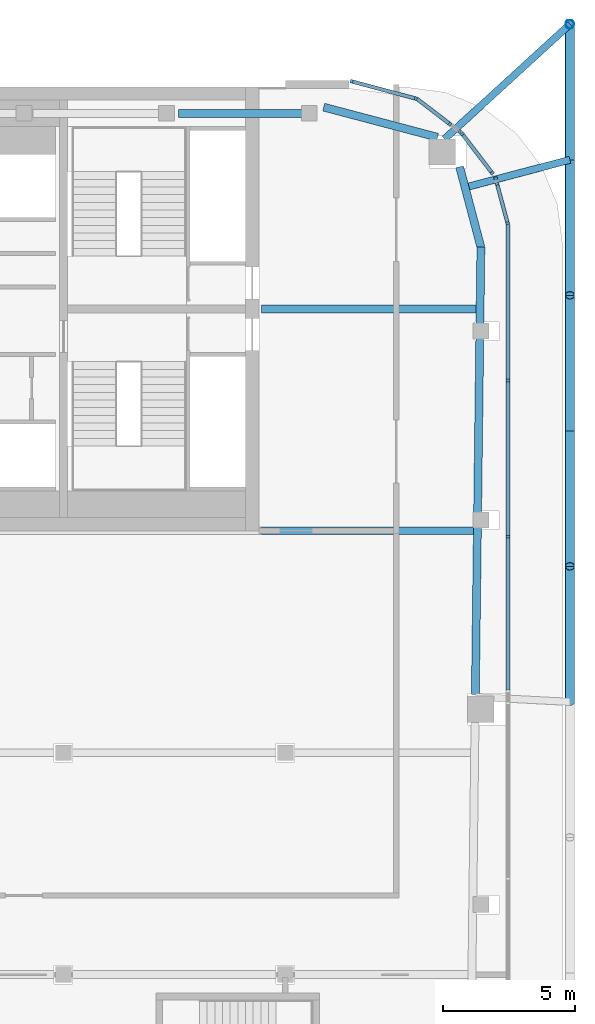
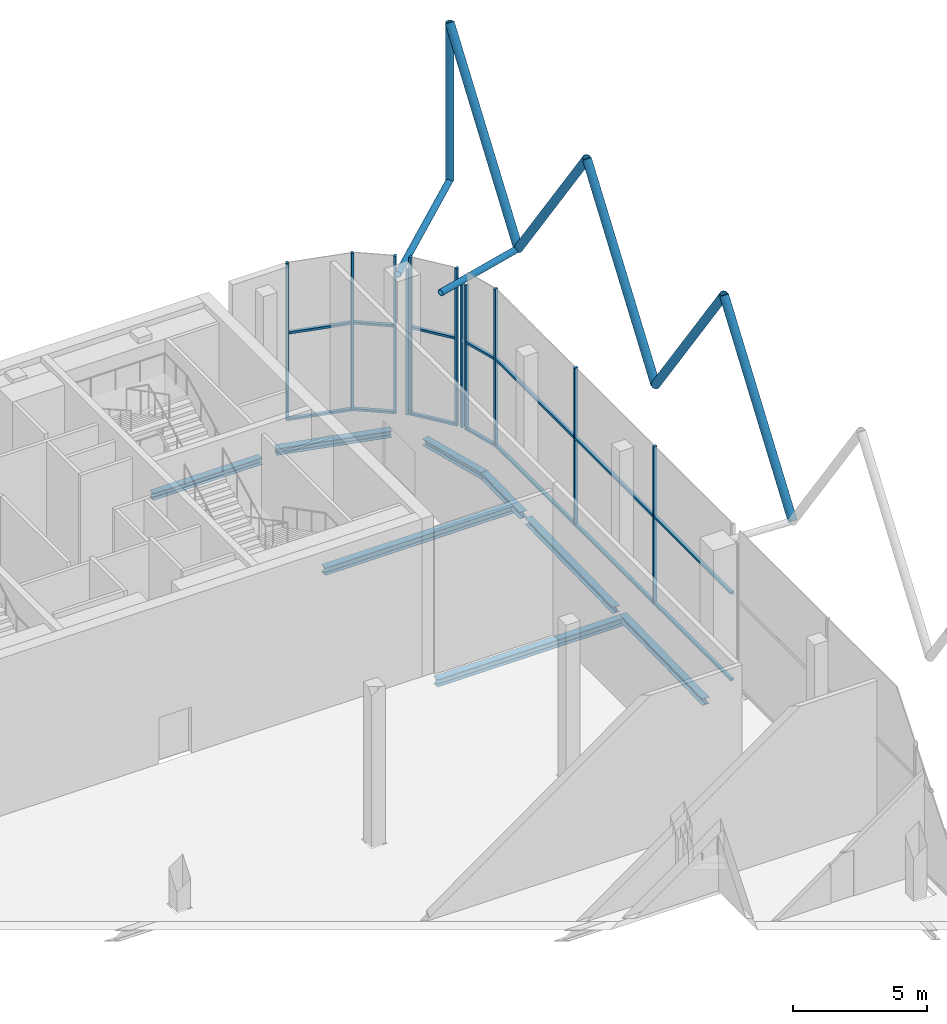
# One storey, part 8 of 25: 33 members, 8 beams, 7 elements without a shape of their own.
"""IFC4 building model written with IfcOpenShell, lengths in metres."""

from ifc_helpers import new_model, si_unit, direction, frame, origin, origin_2d, place, context, subcontext, project, spatial, rectangle, hollow_circle, i_section, extrude, material, layer, layer_set, material_profile, profile_set, type_object, element, aggregate, save


model = new_model("IFC4")

# Units and contexts
model_context = context("Model", 3, precision=1e-05, world=origin(), true_north=direction((0.0, 1.0)))
body_context = subcontext(model_context, "Body", "Model", "MODEL_VIEW")
ifc_project = project(units=[si_unit("LENGTHUNIT", "METRE"), si_unit("AREAUNIT", "SQUARE_METRE"), si_unit("VOLUMEUNIT", "CUBIC_METRE"), si_unit("PLANEANGLEUNIT", "RADIAN"), si_unit("MASSUNIT", "GRAM", prefix="KILO")], contexts=[model_context])

# Site, building, storey
site_placement = place(None, origin())
site = spatial("IfcSite", under=ifc_project, at=site_placement, CompositionType="ELEMENT")
building_placement = place(site_placement, origin())
building = spatial("IfcBuilding", under=site, at=building_placement, Name="Marenta Gate Hotel Tower", CompositionType="ELEMENT")
storey_placement = place(building_placement, frame((0.0, 0.0, 281.300048828125)))
storey = spatial("IfcBuildingStorey", under=building, at=storey_placement, Name="L65", CompositionType="ELEMENT", Elevation=281.300048828125)

# Members
ifc_material_1 = material(Name="Steel S355J2W", Category="steel")
ifc_material_profile_1 = material_profile(ifc_material_1, hollow_circle(Radius=0.161865234375, WallThickness=0.012451171875, at=origin_2d()), Name="CHS 323.9x12.5")
ifc_profile_set_1 = profile_set([ifc_material_profile_1], Name="Steel S355J2W")
member_type_1 = type_object("IfcMemberType", Name="Diagrid corner post C CHS 323.9x12.5", PredefinedType="POST", material=ifc_profile_set_1)
member_1_placement = place(storey_placement, frame((23.3701171875, 19.169921875, 6.739990234375), z_axis=(0.0, 0.0, 1.0), x_axis=(1.0, 0.0, 0.0)))
element("IfcMember", 1, at=member_1_placement, inside=storey, type_object=member_type_1, Name="L65-DR-1", PredefinedType="POST", context=body_context, shape_type="SweptSolid", body=[
    extrude(hollow_circle(Radius=0.161865234375, WallThickness=0.012451171875, at=origin_2d()), origin(), (0.0, 0.0, 1.0), 7.199951171875),
])
ifc_material_2 = material(Name="Steel S355J2W", Category="steel")
ifc_material_profile_2 = material_profile(ifc_material_2, hollow_circle(Radius=0.177734375, WallThickness=0.01611328125, at=origin_2d()), Name="CHS 355.6x16")
ifc_profile_set_2 = profile_set([ifc_material_profile_2], Name="Steel S355J2W")
member_type_2 = type_object("IfcMemberType", Name="Diagrid diagonal C CHS 355.6x16", PredefinedType="BRACE", material=ifc_profile_set_2)
member_2_placement = place(storey_placement, frame((23.3701171875, 14.040771484375, 6.739990234375), z_axis=(0.0, 0.580213650922, 0.81446431431), x_axis=(-1.0, 0.0, 0.0)))
element("IfcMember", 2, at=member_2_placement, inside=storey, type_object=member_type_2, Name="L65-DG-1", PredefinedType="BRACE", context=body_context, shape_type="SweptSolid", body=[
    extrude(hollow_circle(Radius=0.177734375, WallThickness=0.01611328125, at=origin_2d()), origin(), (0.0, 0.0, 1.0), 8.840087890625),
])
for number, where, z_axis, x_axis, name in (
    (3, (23.3701171875, 14.040771484375, 6.739990234375), (0.0, -0.580231970533, 0.81445126335), (1.0, 0.0, 0.0), "L65-DG-2"),
    (4, (23.3701171875, 3.781982421875, 6.739990234375), (0.0, 0.580231970533, 0.81445126335), (-1.0, 0.0, 0.0), "L65-DG-3"),
    (5, (23.3701171875, 3.781982421875, 6.739990234375), (0.0, -0.580231970533, 0.81445126335), (1.0, 0.0, 0.0), "L65-DG-4"),
):
    element("IfcMember", number, at=place(storey_placement, frame(where, z_axis=z_axis, x_axis=x_axis)), inside=storey, type_object=member_type_2, Name=name, PredefinedType="BRACE", context=body_context, shape_type="SweptSolid", body=[
        extrude(hollow_circle(Radius=0.177734375, WallThickness=0.01611328125, at=origin_2d()), origin(), (0.0, 0.0, 1.0), 8.84033203125),
    ])
member_3_placement = place(storey_placement, frame((23.3701171875, -6.4765625, 6.739990234375), z_axis=(0.0, 0.580213650922, 0.81446431431), x_axis=(-1.0, 0.0, 0.0)))
element("IfcMember", 6, at=member_3_placement, inside=storey, type_object=member_type_2, Name="L65-DG-5", PredefinedType="BRACE", context=body_context, shape_type="SweptSolid", body=[
    extrude(hollow_circle(Radius=0.177734375, WallThickness=0.01611328125, at=origin_2d()), origin(), (0.0, 0.0, 1.0), 8.840087890625),
])

# Beams
ifc_material_3 = material(Name="Steel S355", Category="steel")
ifc_material_profile_3 = material_profile(ifc_material_3, i_section(OverallWidth=0.300048828125, OverallDepth=0.300048828125, WebThickness=0.010986328125, FlangeThickness=0.01904296875, FilletRadius=0.027099609375, at=origin_2d()), Name="HEB 300")
ifc_profile_set_3 = profile_set([ifc_material_profile_3], Name="Steel S355")
beam_type_1 = type_object("IfcBeamType", Name="Edge beam HEB 300", PredefinedType="SPANDREL", material=ifc_profile_set_3)
beam_1_placement = place(storey_placement, frame((8.55419921875, 15.800048828125, -0.41015625), z_axis=(1.0, 0.0, 0.0), x_axis=(0.0, 1.0, 0.0)))
element("IfcBeam", 7, at=beam_1_placement, inside=storey, type_object=beam_type_1, Name="L65-EB-17", PredefinedType="SPANDREL", context=body_context, shape_type="SweptSolid", body=[
    extrude(i_section(OverallWidth=0.300048828125, OverallDepth=0.300048828125, WebThickness=0.010986328125, FlangeThickness=0.01904296875, FilletRadius=0.027099609375, at=origin_2d()), origin(), (0.0, 0.0, 1.0), 4.692626953125),
])
beam_2_placement = place(storey_placement, frame((14.051513671875, 16.033447265625, -0.41015625), z_axis=(0.966775757737, -0.25562596553, 0.0), x_axis=(0.25562596553, 0.966775757737, 0.0)))
element("IfcBeam", 8, at=beam_2_placement, inside=storey, type_object=beam_type_1, Name="L65-EB-18", PredefinedType="SPANDREL", context=body_context, shape_type="SweptSolid", body=[
    extrude(i_section(OverallWidth=0.300048828125, OverallDepth=0.300048828125, WebThickness=0.010986328125, FlangeThickness=0.01904296875, FilletRadius=0.027099609375, at=origin_2d()), origin(), (0.0, 0.0, 1.0), 4.455322265625),
])
beam_3_placement = place(storey_placement, frame((19.1962890625, 13.774169921875, -0.41015625), z_axis=(0.25561297124, -0.966779193474, 0.0), x_axis=(0.966779193474, 0.25561297124, 0.0)))
element("IfcBeam", 9, at=beam_3_placement, inside=storey, type_object=beam_type_1, Name="L65-EB-19", PredefinedType="SPANDREL", context=body_context, shape_type="SweptSolid", body=[
    extrude(i_section(OverallWidth=0.300048828125, OverallDepth=0.300048828125, WebThickness=0.010986328125, FlangeThickness=0.01904296875, FilletRadius=0.027099609375, at=origin_2d()), origin(), (0.0, 0.0, 1.0), 3.144287109375),
])
beam_4_placement = place(storey_placement, frame((20.0, 10.734375, -0.41015625), z_axis=(-0.012378130152, -0.999923388012, 0.0), x_axis=(0.999923388012, -0.012378130152, 0.0)))
element("IfcBeam", 10, at=beam_4_placement, inside=storey, type_object=beam_type_1, Name="L65-EB-20", PredefinedType="SPANDREL", context=body_context, shape_type="SweptSolid", body=[
    extrude(i_section(OverallWidth=0.300048828125, OverallDepth=0.300048828125, WebThickness=0.010986328125, FlangeThickness=0.01904296875, FilletRadius=0.027099609375, at=origin_2d()), origin(), (0.0, 0.0, 1.0), 2.978271484375),
])
beam_5_placement = place(storey_placement, frame((19.958251953125, 7.3564453125, -0.41015625), z_axis=(-0.012327630435, -0.999924011877, 0.0), x_axis=(0.999924011877, -0.012327630435, 0.0)))
element("IfcBeam", 11, at=beam_5_placement, inside=storey, type_object=beam_type_1, Name="L65-EB-21", PredefinedType="SPANDREL", context=body_context, shape_type="SweptSolid", body=[
    extrude(i_section(OverallWidth=0.300048828125, OverallDepth=0.300048828125, WebThickness=0.010986328125, FlangeThickness=0.01904296875, FilletRadius=0.027099609375, at=origin_2d()), origin(), (0.0, 0.0, 1.0), 6.69384765625),
])
beam_6_placement = place(storey_placement, frame((19.869384765625, 0.143310546875, -0.41015625), z_axis=(-0.012373286565, -0.99992344796, 0.0), x_axis=(0.99992344796, -0.012373286565, 0.0)))
element("IfcBeam", 12, at=beam_6_placement, inside=storey, type_object=beam_type_1, Name="L65-EB-22", PredefinedType="SPANDREL", context=body_context, shape_type="SweptSolid", body=[
    extrude(i_section(OverallWidth=0.300048828125, OverallDepth=0.300048828125, WebThickness=0.010986328125, FlangeThickness=0.01904296875, FilletRadius=0.027099609375, at=origin_2d()), origin(), (0.0, 0.0, 1.0), 6.333740234375),
])

# Members
ifc_material_4 = material(Name="Steel S355J2W", Category="steel")
ifc_material_profile_4 = material_profile(ifc_material_4, hollow_circle(Radius=0.136474609375, WallThickness=0.012451171875, at=origin_2d()), Name="CHS 273x12.5")
ifc_profile_set_4 = profile_set([ifc_material_profile_4], Name="Steel S355J2W")
member_type_3 = type_object("IfcMemberType", Name="Floor tie CHS 273x12.5", PredefinedType="STRUT", material=ifc_profile_set_4)
member_4_placement = place(storey_placement, frame((23.3701171875, 19.169921875, 6.739990234375), z_axis=(-0.73786132876, -0.674952338703, 0.0), x_axis=(0.674952338703, -0.73786132876, 0.0)))
element("IfcMember", 13, at=member_4_placement, inside=storey, type_object=member_type_3, Name="L65-DR-7", PredefinedType="STRUT", context=body_context, shape_type="SweptSolid", body=[
    extrude(hollow_circle(Radius=0.136474609375, WallThickness=0.012451171875, at=origin_2d()), origin(), (0.0, 0.0, 1.0), 6.4306640625),
])
member_5_placement = place(storey_placement, frame((23.3701171875, 14.040771484375, 6.739990234375), z_axis=(-0.966769783891, -0.255648557508, 0.0), x_axis=(0.255648557508, -0.966769783891, 0.0)))
element("IfcMember", 14, at=member_5_placement, inside=storey, type_object=member_type_3, Name="L65-DR-8", PredefinedType="STRUT", context=body_context, shape_type="SweptSolid", body=[
    extrude(hollow_circle(Radius=0.136474609375, WallThickness=0.012451171875, at=origin_2d()), origin(), (0.0, 0.0, 1.0), 4.097900390625),
])

# Beams
ifc_material_5 = material(Name="Steel S355", Category="steel")
ifc_material_profile_5 = material_profile(ifc_material_5, i_section(OverallWidth=0.300048828125, OverallDepth=0.340087890625, WebThickness=0.011962890625, FlangeThickness=0.021484375, FilletRadius=0.027099609375, at=origin_2d()), Name="HEB 340")
ifc_profile_set_5 = profile_set([ifc_material_profile_5], Name="Steel S355")
beam_type_2 = type_object("IfcBeamType", Name="Girder HEB 340", PredefinedType="BEAM", material=ifc_profile_set_5)
beam_7_placement = place(storey_placement, frame((11.699951171875, 0.0, -0.429931640625), z_axis=(1.0, 0.0, 0.0), x_axis=(0.0, 1.0, 0.0)))
element("IfcBeam", 15, at=beam_7_placement, inside=storey, type_object=beam_type_2, Name="L65-GD-18", PredefinedType="BEAM", context=body_context, shape_type="SweptSolid", body=[
    extrude(i_section(OverallWidth=0.300048828125, OverallDepth=0.340087890625, WebThickness=0.011962890625, FlangeThickness=0.021484375, FilletRadius=0.027099609375, at=origin_2d()), origin(), (0.0, 0.0, 1.0), 8.017578125),
])
beam_8_placement = place(storey_placement, frame((11.699951171875, 8.39990234375, -0.429931640625), z_axis=(1.0, 0.0, 0.0), x_axis=(0.0, 1.0, 0.0)))
element("IfcBeam", 16, at=beam_8_placement, inside=storey, type_object=beam_type_2, Name="L65-GD-20", PredefinedType="BEAM", context=body_context, shape_type="SweptSolid", body=[
    extrude(i_section(OverallWidth=0.300048828125, OverallDepth=0.340087890625, WebThickness=0.011962890625, FlangeThickness=0.021484375, FilletRadius=0.027099609375, at=origin_2d()), origin(), (0.0, 0.0, 1.0), 8.121337890625),
])

# Curtain wall, members
ifc_material_6 = material(Name="Tinted insulated glass in bronze anodised frame", Category="glass")
ifc_layer = layer(ifc_material_6, 0.139892578125)
ifc_layer_set = layer_set([ifc_layer], Name="Tinted insulated glass in bronze anodised frame")
curtain_wall_type = type_object("IfcCurtainWallType", Name="Observation deck structural glazing CW3", PredefinedType="NOTDEFINED", material=ifc_layer_set)
curtain_wall_1_placement = place(storey_placement, origin())
curtain_wall_1 = element("IfcCurtainWall", 17, at=curtain_wall_1_placement, inside=storey, type_object=curtain_wall_type, Name="CW3 run G35", PredefinedType="NOTDEFINED")
ifc_material_7 = material(Name="Bronze anodised aluminium", Category="aluminium")
ifc_material_profile_6 = material_profile(ifc_material_7, rectangle(XDim=0.139892578125, YDim=0.10009765625, at=origin_2d()), Name="Mullion CW3 100x140 bronze anodised aluminium")
ifc_profile_set_6 = profile_set([ifc_material_profile_6], Name="Bronze anodised aluminium")
member_type_4 = type_object("IfcMemberType", Name="Mullion CW3 100x140 bronze anodised aluminium", PredefinedType="MULLION", material=ifc_profile_set_6)
member_6_placement = place(storey_placement, frame((21.02392578125, -0.220703125, 0.0), z_axis=(0.0, 0.0, 1.0), x_axis=(-1.0, 0.0, 0.0)))
member_6 = element("IfcMember", 18, at=member_6_placement, type_object=member_type_4, Name="CW3 mullion 2", PredefinedType="MULLION", context=body_context, shape_type="SweptSolid", body=[
    extrude(rectangle(XDim=0.139892578125, YDim=0.10009765625, at=origin_2d()), origin(), (0.0, 0.0, 1.0), 7.199951171875),
])
member_7_placement = place(storey_placement, frame((21.02392578125, 5.686279296875, 0.0), z_axis=(0.0, 0.0, 1.0), x_axis=(-1.0, 0.0, 0.0)))
member_7 = element("IfcMember", 19, at=member_7_placement, type_object=member_type_4, Name="CW3 mullion 3", PredefinedType="MULLION", context=body_context, shape_type="SweptSolid", body=[
    extrude(rectangle(XDim=0.139892578125, YDim=0.10009765625, at=origin_2d()), origin(), (0.0, 0.0, 1.0), 7.199951171875),
])

# Curtain wall, member
curtain_wall_2_placement = place(storey_placement, origin())
curtain_wall_2 = element("IfcCurtainWall", 20, at=curtain_wall_2_placement, inside=storey, type_object=curtain_wall_type, Name="CW3 run G36", PredefinedType="NOTDEFINED")
member_8_placement = place(storey_placement, frame((21.010986328125, 11.6416015625, 0.0), z_axis=(0.0, 0.0, 1.0), x_axis=(-0.965937907375, -0.258773953666, 0.0)))
member_8 = element("IfcMember", 21, at=member_8_placement, type_object=member_type_4, Name="CW3 mullion 1", PredefinedType="MULLION", context=body_context, shape_type="SweptSolid", body=[
    extrude(rectangle(XDim=0.139892578125, YDim=0.10009765625, at=origin_2d()), origin(), (0.0, 0.0, 1.0), 7.199951171875),
])

# Curtain wall, members
curtain_wall_3_placement = place(storey_placement, origin())
curtain_wall_3 = element("IfcCurtainWall", 22, at=curtain_wall_3_placement, inside=storey, type_object=curtain_wall_type, Name="CW3 run G37", PredefinedType="NOTDEFINED")
member_9_placement = place(storey_placement, frame((20.612548828125, 13.12890625, 0.0), z_axis=(0.0, 0.0, 1.0), x_axis=(-0.965904409139, -0.25889896177, 0.0)))
member_9 = element("IfcMember", 23, at=member_9_placement, type_object=member_type_4, Name="CW3 mullion 1", PredefinedType="MULLION", context=body_context, shape_type="SweptSolid", body=[
    extrude(rectangle(XDim=0.139892578125, YDim=0.10009765625, at=origin_2d()), origin(), (0.0, 0.0, 1.0), 6.600341796875),
])
member_10_placement = place(storey_placement, frame((20.556396484375, 13.338623046875, 0.0), z_axis=(0.0, 0.0, 1.0), x_axis=(-0.965904409139, -0.25889896177, 0.0)))
member_10 = element("IfcMember", 24, at=member_10_placement, type_object=member_type_4, Name="CW3 mullion 2", PredefinedType="MULLION", context=body_context, shape_type="SweptSolid", body=[
    extrude(rectangle(XDim=0.139892578125, YDim=0.10009765625, at=origin_2d()), origin(), (0.0, 0.0, 1.0), 6.600341796875),
])
aggregate(curtain_wall_3, [member_9, member_10])

curtain_wall_4_placement = place(storey_placement, origin())
curtain_wall_4 = element("IfcCurtainWall", 25, at=curtain_wall_4_placement, inside=storey, type_object=curtain_wall_type, Name="CW3 run G38", PredefinedType="NOTDEFINED")
member_11_placement = place(storey_placement, frame((20.42333984375, 13.54345703125, 0.0), z_axis=(0.0, 0.0, 1.0), x_axis=(-0.793300162999, -0.608830724739, 0.0)))
member_11 = element("IfcMember", 26, at=member_11_placement, type_object=member_type_4, Name="CW3 mullion 1", PredefinedType="MULLION", context=body_context, shape_type="SweptSolid", body=[
    extrude(rectangle(XDim=0.139892578125, YDim=0.10009765625, at=origin_2d()), origin(), (0.0, 0.0, 1.0), 7.199951171875),
])
member_12_placement = place(storey_placement, frame((19.2900390625, 15.02001953125, 0.0), z_axis=(0.0, 0.0, 1.0), x_axis=(-0.793300162999, -0.608830724739, 0.0)))
member_12 = element("IfcMember", 27, at=member_12_placement, type_object=member_type_4, Name="CW3 mullion 2", PredefinedType="MULLION", context=body_context, shape_type="SweptSolid", body=[
    extrude(rectangle(XDim=0.139892578125, YDim=0.10009765625, at=origin_2d()), origin(), (0.0, 0.0, 1.0), 7.199951171875),
])

# Curtain wall, member
curtain_wall_5_placement = place(storey_placement, origin())
curtain_wall_5 = element("IfcCurtainWall", 28, at=curtain_wall_5_placement, inside=storey, type_object=curtain_wall_type, Name="CW3 run G39", PredefinedType="NOTDEFINED")
member_13_placement = place(storey_placement, frame((19.1943359375, 15.10986328125, 0.0), z_axis=(0.0, 0.0, 1.0), x_axis=(-0.608901504385, -0.793245837025, 0.0)))
member_13 = element("IfcMember", 29, at=member_13_placement, type_object=member_type_4, Name="CW3 mullion 1", PredefinedType="MULLION", context=body_context, shape_type="SweptSolid", body=[
    extrude(rectangle(XDim=0.139892578125, YDim=0.10009765625, at=origin_2d()), origin(), (0.0, 0.0, 1.0), 6.600341796875),
])
aggregate(curtain_wall_5, [member_13])

curtain_wall_6_placement = place(storey_placement, origin())
curtain_wall_6 = element("IfcCurtainWall", 30, at=curtain_wall_6_placement, inside=storey, type_object=curtain_wall_type, Name="CW3 run G40", PredefinedType="NOTDEFINED")
member_14_placement = place(storey_placement, frame((18.829345703125, 15.39013671875, 0.0), z_axis=(0.0, 0.0, 1.0), x_axis=(-0.608795236853, -0.793327397475, 0.0)))
member_14 = element("IfcMember", 31, at=member_14_placement, type_object=member_type_4, Name="CW3 mullion 1", PredefinedType="MULLION", context=body_context, shape_type="SweptSolid", body=[
    extrude(rectangle(XDim=0.139892578125, YDim=0.10009765625, at=origin_2d()), origin(), (0.0, 0.0, 1.0), 7.199951171875),
])

# Curtain wall, members
curtain_wall_7_placement = place(storey_placement, origin())
curtain_wall_7 = element("IfcCurtainWall", 32, at=curtain_wall_7_placement, inside=storey, type_object=curtain_wall_type, Name="CW3 run G41", PredefinedType="NOTDEFINED")
member_15_placement = place(storey_placement, frame((17.538818359375, 16.3564453125, 0.0), z_axis=(0.0, 0.0, 1.0), x_axis=(-0.258801660301, -0.965930484365, 0.0)))
member_15 = element("IfcMember", 33, at=member_15_placement, type_object=member_type_4, Name="CW3 mullion 1", PredefinedType="MULLION", context=body_context, shape_type="SweptSolid", body=[
    extrude(rectangle(XDim=0.139892578125, YDim=0.10009765625, at=origin_2d()), origin(), (0.0, 0.0, 1.0), 7.199951171875),
])
member_16_placement = place(storey_placement, frame((15.107421875, 17.0078125, 0.0), z_axis=(0.0, 0.0, 1.0), x_axis=(-0.258801660301, -0.965930484365, 0.0)))
member_16 = element("IfcMember", 34, at=member_16_placement, type_object=member_type_4, Name="CW3 mullion 2", PredefinedType="MULLION", context=body_context, shape_type="SweptSolid", body=[
    extrude(rectangle(XDim=0.139892578125, YDim=0.10009765625, at=origin_2d()), origin(), (0.0, 0.0, 1.0), 7.199951171875),
])

# Member
ifc_material_8 = material(Name="Bronze anodised aluminium", Category="aluminium")
ifc_material_profile_7 = material_profile(ifc_material_8, rectangle(XDim=0.139892578125, YDim=0.10009765625, at=origin_2d()), Name="Transom CW3 100x140 bronze anodised aluminium")
ifc_profile_set_7 = profile_set([ifc_material_profile_7], Name="Bronze anodised aluminium")
member_type_5 = type_object("IfcMemberType", Name="Transom CW3 100x140 bronze anodised aluminium", PredefinedType="USERDEFINED", material=ifc_profile_set_7)
member_17_placement = place(storey_placement, frame((21.02392578125, -6.027587890625, 0.050048828125), z_axis=(0.0, 1.0, 0.0), x_axis=(-1.0, 0.0, 0.0)))
member_17 = element("IfcMember", 35, at=member_17_placement, type_object=member_type_5, Name="CW3 transom 1.1", ObjectType="TRANSOM", PredefinedType="USERDEFINED", context=body_context, shape_type="SweptSolid", body=[
    extrude(rectangle(XDim=0.139892578125, YDim=0.10009765625, at=origin_2d()), origin(), (0.0, 0.0, 1.0), 5.757080078125),
])

member_18_placement = place(storey_placement, frame((21.02392578125, -6.027587890625, 4.0), z_axis=(0.0, 1.0, 0.0), x_axis=(-1.0, 0.0, 0.0)))
member_18 = element("IfcMember", 36, at=member_18_placement, type_object=member_type_5, Name="CW3 transom 1.2", ObjectType="TRANSOM", PredefinedType="USERDEFINED", context=body_context, shape_type="SweptSolid", body=[
    extrude(rectangle(XDim=0.139892578125, YDim=0.10009765625, at=origin_2d()), origin(), (0.0, 0.0, 1.0), 5.757080078125),
])

member_19_placement = place(storey_placement, frame((21.02392578125, -0.170654296875, 0.050048828125), z_axis=(0.0, 1.0, 0.0), x_axis=(-1.0, 0.0, 0.0)))
member_19 = element("IfcMember", 37, at=member_19_placement, type_object=member_type_5, Name="CW3 transom 2.1", ObjectType="TRANSOM", PredefinedType="USERDEFINED", context=body_context, shape_type="SweptSolid", body=[
    extrude(rectangle(XDim=0.139892578125, YDim=0.10009765625, at=origin_2d()), origin(), (0.0, 0.0, 1.0), 5.806884765625),
])

member_20_placement = place(storey_placement, frame((21.02392578125, -0.170654296875, 4.0), z_axis=(0.0, 1.0, 0.0), x_axis=(-1.0, 0.0, 0.0)))
member_20 = element("IfcMember", 38, at=member_20_placement, type_object=member_type_5, Name="CW3 transom 2.2", ObjectType="TRANSOM", PredefinedType="USERDEFINED", context=body_context, shape_type="SweptSolid", body=[
    extrude(rectangle(XDim=0.139892578125, YDim=0.10009765625, at=origin_2d()), origin(), (0.0, 0.0, 1.0), 5.806884765625),
])

member_21_placement = place(storey_placement, frame((21.02392578125, 5.736328125, 0.050048828125), z_axis=(0.0, 1.0, 0.0), x_axis=(-1.0, 0.0, 0.0)))
member_21 = element("IfcMember", 39, at=member_21_placement, type_object=member_type_5, Name="CW3 transom 3.1", ObjectType="TRANSOM", PredefinedType="USERDEFINED", context=body_context, shape_type="SweptSolid", body=[
    extrude(rectangle(XDim=0.139892578125, YDim=0.10009765625, at=origin_2d()), origin(), (0.0, 0.0, 1.0), 5.85693359375),
])

member_22_placement = place(storey_placement, frame((21.02392578125, 5.736328125, 4.0), z_axis=(0.0, 1.0, 0.0), x_axis=(-1.0, 0.0, 0.0)))
member_22 = element("IfcMember", 40, at=member_22_placement, type_object=member_type_5, Name="CW3 transom 3.2", ObjectType="TRANSOM", PredefinedType="USERDEFINED", context=body_context, shape_type="SweptSolid", body=[
    extrude(rectangle(XDim=0.139892578125, YDim=0.10009765625, at=origin_2d()), origin(), (0.0, 0.0, 1.0), 5.85693359375),
])

aggregate(curtain_wall_1, [member_6, member_7, member_17, member_18, member_19, member_20, member_21, member_22])

member_23_placement = place(storey_placement, frame((20.998046875, 11.689697265625, 0.050048828125), z_axis=(-0.25869654073, 0.965958642911, 0.0), x_axis=(-0.965958642911, -0.25869654073, 0.0)))
member_23 = element("IfcMember", 41, at=member_23_placement, type_object=member_type_5, Name="CW3 transom 1.1", ObjectType="TRANSOM", PredefinedType="USERDEFINED", context=body_context, shape_type="SweptSolid", body=[
    extrude(rectangle(XDim=0.139892578125, YDim=0.10009765625, at=origin_2d()), origin(), (0.0, 0.0, 1.0), 1.440185546875),
])

member_24_placement = place(storey_placement, frame((20.998046875, 11.689697265625, 4.0), z_axis=(-0.25869654073, 0.965958642911, 0.0), x_axis=(-0.965958642911, -0.25869654073, 0.0)))
member_24 = element("IfcMember", 42, at=member_24_placement, type_object=member_type_5, Name="CW3 transom 1.2", ObjectType="TRANSOM", PredefinedType="USERDEFINED", context=body_context, shape_type="SweptSolid", body=[
    extrude(rectangle(XDim=0.139892578125, YDim=0.10009765625, at=origin_2d()), origin(), (0.0, 0.0, 1.0), 1.440185546875),
])

aggregate(curtain_wall_2, [member_8, member_23, member_24])

member_25_placement = place(storey_placement, frame((20.392822265625, 13.583251953125, 0.050048828125), z_axis=(-0.608812698738, 0.793313997012, 0.0), x_axis=(-0.793313997012, -0.608812698738, 0.0)))
member_25 = element("IfcMember", 43, at=member_25_placement, type_object=member_type_5, Name="CW3 transom 1.1", ObjectType="TRANSOM", PredefinedType="USERDEFINED", context=body_context, shape_type="SweptSolid", body=[
    extrude(rectangle(XDim=0.139892578125, YDim=0.10009765625, at=origin_2d()), origin(), (0.0, 0.0, 1.0), 1.76123046875),
])

member_26_placement = place(storey_placement, frame((20.392822265625, 13.583251953125, 4.0), z_axis=(-0.608812698738, 0.793313997012, 0.0), x_axis=(-0.793313997012, -0.608812698738, 0.0)))
member_26 = element("IfcMember", 44, at=member_26_placement, type_object=member_type_5, Name="CW3 transom 1.2", ObjectType="TRANSOM", PredefinedType="USERDEFINED", context=body_context, shape_type="SweptSolid", body=[
    extrude(rectangle(XDim=0.139892578125, YDim=0.10009765625, at=origin_2d()), origin(), (0.0, 0.0, 1.0), 1.76123046875),
])

aggregate(curtain_wall_4, [member_11, member_12, member_25, member_26])

member_27_placement = place(storey_placement, frame((18.78955078125, 15.42041015625, 0.050048828125), z_axis=(-0.793264104423, 0.608877705811, 0.0), x_axis=(-0.608877705811, -0.793264104423, 0.0)))
member_27 = element("IfcMember", 45, at=member_27_placement, type_object=member_type_5, Name="CW3 transom 1.1", ObjectType="TRANSOM", PredefinedType="USERDEFINED", context=body_context, shape_type="SweptSolid", body=[
    extrude(rectangle(XDim=0.139892578125, YDim=0.10009765625, at=origin_2d()), origin(), (0.0, 0.0, 1.0), 1.51611328125),
])

member_28_placement = place(storey_placement, frame((18.78955078125, 15.42041015625, 4.0), z_axis=(-0.793264104423, 0.608877705811, 0.0), x_axis=(-0.608877705811, -0.793264104423, 0.0)))
member_28 = element("IfcMember", 46, at=member_28_placement, type_object=member_type_5, Name="CW3 transom 1.2", ObjectType="TRANSOM", PredefinedType="USERDEFINED", context=body_context, shape_type="SweptSolid", body=[
    extrude(rectangle(XDim=0.139892578125, YDim=0.10009765625, at=origin_2d()), origin(), (0.0, 0.0, 1.0), 1.51611328125),
])

aggregate(curtain_wall_6, [member_14, member_27, member_28])

member_29_placement = place(storey_placement, frame((17.490478515625, 16.369384765625, 0.050048828125), z_axis=(-0.965935879031, 0.258781524843, 0.0), x_axis=(-0.258781524843, -0.965935879031, 0.0)))
member_29 = element("IfcMember", 47, at=member_29_placement, type_object=member_type_5, Name="CW3 transom 1.1", ObjectType="TRANSOM", PredefinedType="USERDEFINED", context=body_context, shape_type="SweptSolid", body=[
    extrude(rectangle(XDim=0.139892578125, YDim=0.10009765625, at=origin_2d()), origin(), (0.0, 0.0, 1.0), 2.4169921875),
])

member_30_placement = place(storey_placement, frame((17.490478515625, 16.369384765625, 4.0), z_axis=(-0.965935879031, 0.258781524843, 0.0), x_axis=(-0.258781524843, -0.965935879031, 0.0)))
member_30 = element("IfcMember", 48, at=member_30_placement, type_object=member_type_5, Name="CW3 transom 1.2", ObjectType="TRANSOM", PredefinedType="USERDEFINED", context=body_context, shape_type="SweptSolid", body=[
    extrude(rectangle(XDim=0.139892578125, YDim=0.10009765625, at=origin_2d()), origin(), (0.0, 0.0, 1.0), 2.4169921875),
])

aggregate(curtain_wall_7, [member_15, member_16, member_29, member_30])

save(model, "model.ifc")
